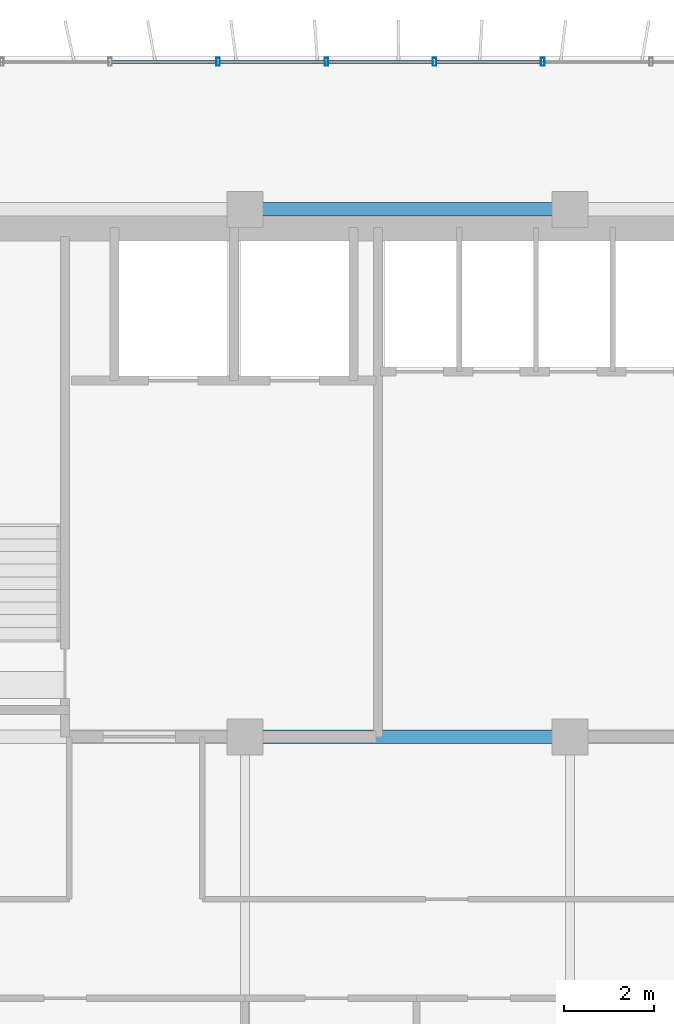
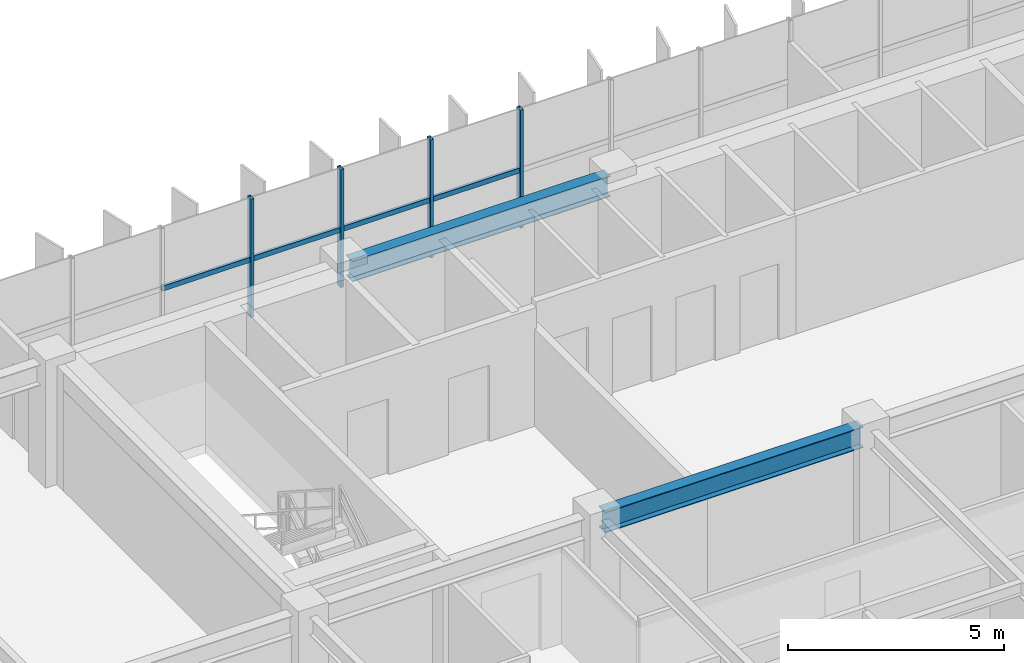
# One storey, part 6 of 21: 8 members, 2 beams, 1 element without a shape of its own.
"""IFC4 building model written with IfcOpenShell, lengths in metres."""

from ifc_helpers import new_model, si_unit, direction, frame, origin, origin_2d, place, context, subcontext, project, spatial, hollow_rectangle, i_section, extrude, source, transform, mapped, material, material_profile, profile_set, type_object, element, aggregate, save


model = new_model("IFC4")

# Units and contexts
model_context = context("Model", 3, precision=1e-05, world=origin(), true_north=direction((0.0, 1.0)))
body_context = subcontext(model_context, "Body", "Model", "MODEL_VIEW")
ifc_project = project(units=[si_unit("LENGTHUNIT", "METRE"), si_unit("AREAUNIT", "SQUARE_METRE"), si_unit("VOLUMEUNIT", "CUBIC_METRE"), si_unit("PLANEANGLEUNIT", "RADIAN"), si_unit("MASSUNIT", "GRAM", prefix="KILO")], contexts=[model_context])

# Site, building, storey
site_placement = place(None, origin())
site = spatial("IfcSite", under=ifc_project, at=site_placement, CompositionType="ELEMENT")
building_placement = place(site_placement, origin())
building = spatial("IfcBuilding", under=site, at=building_placement, Name="Trelvane Seafront Commons", CompositionType="ELEMENT")
storey_placement = place(building_placement, frame((0.0, 0.0, 103.300048828125)))
storey = spatial("IfcBuildingStorey", under=building, at=storey_placement, Name="L26", CompositionType="ELEMENT", Elevation=103.300048828125)

# Beams
ifc_material_1 = material(Name="Steel SM355 (S355)", Category="steel")
ifc_material_profile_1 = material_profile(ifc_material_1, i_section(OverallWidth=0.300048828125, OverallDepth=0.587890625, WebThickness=0.011962890625, FlangeThickness=0.02001953125, at=origin_2d()), Name="H-588x300x12x20")
ifc_profile_set_1 = profile_set([ifc_material_profile_1], Name="Steel SM355 (S355)")
beam_type = type_object("IfcBeamType", Name="STR-BM-H588", PredefinedType="BEAM", material=ifc_profile_set_1)
shared_shape_1 = source(origin(), body_context, "Body", "SweptSolid", [
    extrude(i_section(OverallWidth=0.300048828125, OverallDepth=0.587890625, WebThickness=0.011962890625, FlangeThickness=0.02001953125, at=origin_2d()), origin(), (0.0, 0.0, 1.0), 6.89990234375),
])
for number, where, z_axis, x_axis, name in (
    (1, (23.550048828125, 33.39990234375, 3.0458984375), (1.0, 0.0, 0.0), (0.0, 1.0, 0.0), "L26 Primary Girder G-22"),
    (2, (23.550048828125, 45.10009765625, 3.0458984375), (1.0, 0.0, 0.0), (0.0, 1.0, 0.0), "L26 Primary Girder G-31"),
):
    element("IfcBeam", number, at=place(storey_placement, frame(where, z_axis=z_axis, x_axis=x_axis)), inside=storey, type_object=beam_type, Name=name, PredefinedType="BEAM", context=body_context, shape_type="MappedRepresentation", body=[
        mapped(shared_shape_1, transform((0.0, 0.0, 0.0), x_axis=(1.0, 0.0, 0.0), y_axis=(0.0, 1.0, 0.0), z_axis=(0.0, 0.0, 1.0), scale=1.0)),
    ])

# Curtain wall, members
ifc_material_2 = material(Name="Anodised pale-silver aluminium", Category="aluminium")
curtain_wall_type = type_object("IfcCurtainWallType", Name="ARCH-CW4-SKYLOBBY", PredefinedType="NOTDEFINED", material=ifc_material_2)
curtain_wall_placement = place(storey_placement, origin())
curtain_wall = element("IfcCurtainWall", 3, at=curtain_wall_placement, inside=storey, type_object=curtain_wall_type, Name="CW-L26-0051", PredefinedType="NOTDEFINED")
ifc_material_profile_2 = material_profile(ifc_material_2, hollow_rectangle(XDim=0.074951171875, YDim=0.139892578125, WallThickness=0.00390625, at=origin_2d()), Name="TRAN-75x140x4")
ifc_profile_set_2 = profile_set([ifc_material_profile_2], Name="Anodised pale-silver aluminium")
member_type_1 = type_object("IfcMemberType", Name="ARCH-CW-TRAN-140", PredefinedType="USERDEFINED", material=ifc_profile_set_2)
shared_shape_2 = source(origin(), body_context, "Body", "SweptSolid", [
    extrude(hollow_rectangle(XDim=0.074951171875, YDim=0.139892578125, WallThickness=0.00390625, at=origin_2d()), origin(), (0.0, 0.0, 1.0), 2.3759765625),
])
member_1_placement = place(storey_placement, frame((20.412109375, 48.3701171875, 1.60302734375), z_axis=(1.0, 0.0, 0.0), x_axis=(0.0, 1.0, 0.0)))
member_1 = element("IfcMember", 4, at=member_1_placement, type_object=member_type_1, Name="CW-L26-0051-T02", ObjectType="TRANSOM", PredefinedType="USERDEFINED", context=body_context, shape_type="MappedRepresentation", body=[
    mapped(shared_shape_2, transform((0.0, 0.0, 0.0), x_axis=(1.0, 0.0, 0.0), y_axis=(0.0, 1.0, 0.0), z_axis=(0.0, 0.0, 1.0), scale=1.0)),
])
member_2_placement = place(storey_placement, frame((22.81201171875, 48.3701171875, 1.60302734375), z_axis=(1.0, 0.0, 0.0), x_axis=(0.0, 1.0, 0.0)))
member_2 = element("IfcMember", 5, at=member_2_placement, type_object=member_type_1, Name="CW-L26-0051-T03", ObjectType="TRANSOM", PredefinedType="USERDEFINED", context=body_context, shape_type="MappedRepresentation", body=[
    mapped(shared_shape_2, transform((0.0, 0.0, 0.0), x_axis=(1.0, 0.0, 0.0), y_axis=(0.0, 1.0, 0.0), z_axis=(0.0, 0.0, 1.0), scale=1.0)),
])
member_3_placement = place(storey_placement, frame((25.2119140625, 48.3701171875, 1.60302734375), z_axis=(1.0, 0.0, 0.0), x_axis=(0.0, 1.0, 0.0)))
member_3 = element("IfcMember", 6, at=member_3_placement, type_object=member_type_1, Name="CW-L26-0051-T04", ObjectType="TRANSOM", PredefinedType="USERDEFINED", context=body_context, shape_type="MappedRepresentation", body=[
    mapped(shared_shape_2, transform((0.0, 0.0, 0.0), x_axis=(1.0, 0.0, 0.0), y_axis=(0.0, 1.0, 0.0), z_axis=(0.0, 0.0, 1.0), scale=1.0)),
])
member_4_placement = place(storey_placement, frame((27.612060546875, 48.3701171875, 1.60302734375), z_axis=(1.0, 0.0, 0.0), x_axis=(0.0, 1.0, 0.0)))
member_4 = element("IfcMember", 7, at=member_4_placement, type_object=member_type_1, Name="CW-L26-0051-T05", ObjectType="TRANSOM", PredefinedType="USERDEFINED", context=body_context, shape_type="MappedRepresentation", body=[
    mapped(shared_shape_2, transform((0.0, 0.0, 0.0), x_axis=(1.0, 0.0, 0.0), y_axis=(0.0, 1.0, 0.0), z_axis=(0.0, 0.0, 1.0), scale=1.0)),
])
ifc_material_profile_3 = material_profile(ifc_material_2, hollow_rectangle(XDim=0.080078125, YDim=0.179931640625, WallThickness=0.00439453125, at=origin_2d()), Name="MULL-80x180x4.5")
ifc_profile_set_3 = profile_set([ifc_material_profile_3], Name="Anodised pale-silver aluminium")
member_type_2 = type_object("IfcMemberType", Name="ARCH-CW-MULL-180", PredefinedType="MULLION", material=ifc_profile_set_3)
shared_shape_3 = source(origin(), body_context, "Body", "SweptSolid", [
    extrude(hollow_rectangle(XDim=0.080078125, YDim=0.179931640625, WallThickness=0.00439453125, at=origin_2d()), origin(), (0.0, 0.0, 1.0), 3.33984375),
])
member_5_placement = place(storey_placement, frame((22.800048828125, 48.3701171875, 0.0), z_axis=(0.0, 0.0, 1.0), x_axis=(1.0, 0.0, 0.0)))
member_5 = element("IfcMember", 8, at=member_5_placement, type_object=member_type_2, Name="CW-L26-0051-M03", PredefinedType="MULLION", context=body_context, shape_type="MappedRepresentation", body=[
    mapped(shared_shape_3, transform((0.0, 0.0, 0.0), x_axis=(1.0, 0.0, 0.0), y_axis=(0.0, 1.0, 0.0), z_axis=(0.0, 0.0, 1.0), scale=1.0)),
])
member_6_placement = place(storey_placement, frame((25.199951171875, 48.3701171875, 0.0), z_axis=(0.0, 0.0, 1.0), x_axis=(1.0, 0.0, 0.0)))
member_6 = element("IfcMember", 9, at=member_6_placement, type_object=member_type_2, Name="CW-L26-0051-M04", PredefinedType="MULLION", context=body_context, shape_type="MappedRepresentation", body=[
    mapped(shared_shape_3, transform((0.0, 0.0, 0.0), x_axis=(1.0, 0.0, 0.0), y_axis=(0.0, 1.0, 0.0), z_axis=(0.0, 0.0, 1.0), scale=1.0)),
])
member_7_placement = place(storey_placement, frame((27.60009765625, 48.3701171875, 0.0), z_axis=(0.0, 0.0, 1.0), x_axis=(1.0, 0.0, 0.0)))
member_7 = element("IfcMember", 10, at=member_7_placement, type_object=member_type_2, Name="CW-L26-0051-M05", PredefinedType="MULLION", context=body_context, shape_type="MappedRepresentation", body=[
    mapped(shared_shape_3, transform((0.0, 0.0, 0.0), x_axis=(1.0, 0.0, 0.0), y_axis=(0.0, 1.0, 0.0), z_axis=(0.0, 0.0, 1.0), scale=1.0)),
])
member_8_placement = place(storey_placement, frame((30.0, 48.3701171875, 0.0), z_axis=(0.0, 0.0, 1.0), x_axis=(1.0, 0.0, 0.0)))
member_8 = element("IfcMember", 11, at=member_8_placement, type_object=member_type_2, Name="CW-L26-0051-M06", PredefinedType="MULLION", context=body_context, shape_type="MappedRepresentation", body=[
    mapped(shared_shape_3, transform((0.0, 0.0, 0.0), x_axis=(1.0, 0.0, 0.0), y_axis=(0.0, 1.0, 0.0), z_axis=(0.0, 0.0, 1.0), scale=1.0)),
])
aggregate(curtain_wall, [member_5, member_6, member_7, member_8, member_1, member_2, member_3, member_4])

save(model, "model.ifc")
